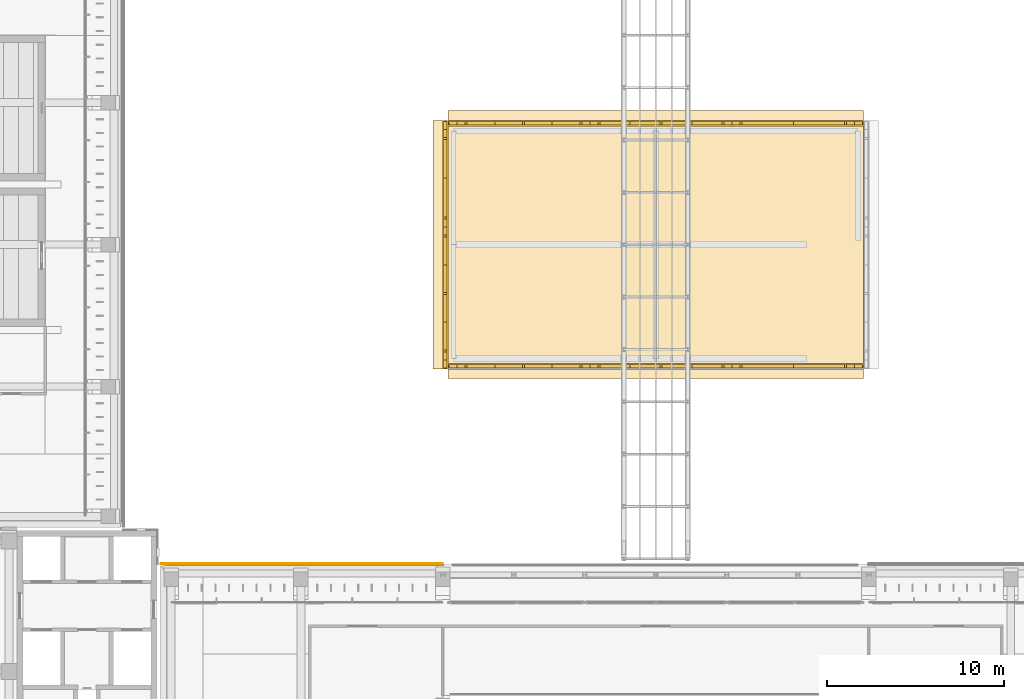
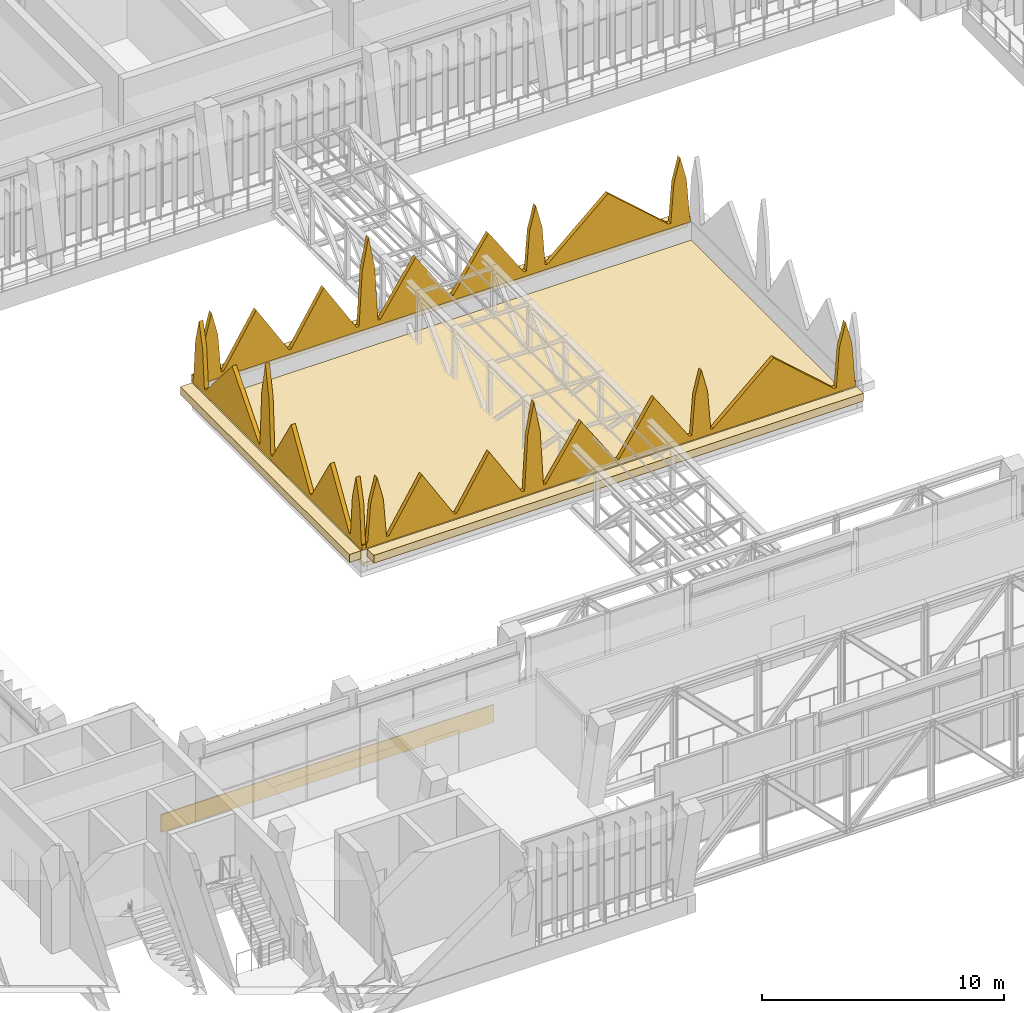
# One storey, part 128 of 141: 8 coverings.
"""IFC4 building model written with IfcOpenShell, lengths in metres."""

from ifc_helpers import new_model, si_unit, direction, frame, frame_2d, origin, place, context, subcontext, project, spatial, polyline, rectangle, outline, extrude, material, layer, layer_set, type_object, element, save


model = new_model("IFC4")

# Units and contexts
model_context = context("Model", 3, precision=1e-05, world=origin(), true_north=direction((0.0, 1.0)))
body_context = subcontext(model_context, "Body", "Model", "MODEL_VIEW")
ifc_project = project(units=[si_unit("LENGTHUNIT", "METRE"), si_unit("AREAUNIT", "SQUARE_METRE"), si_unit("VOLUMEUNIT", "CUBIC_METRE"), si_unit("PLANEANGLEUNIT", "RADIAN"), si_unit("MASSUNIT", "GRAM", prefix="KILO")], contexts=[model_context])

# Site, building, storey
site_placement = place(None, origin())
site = spatial("IfcSite", under=ifc_project, at=site_placement, CompositionType="ELEMENT")
building_placement = place(site_placement, origin())
building = spatial("IfcBuilding", under=site, at=building_placement, Name="Lantern Court Media Centre", CompositionType="ELEMENT")
storey_placement = place(building_placement, frame((0.0, 0.0, 9.60009765625)))
storey = spatial("IfcBuildingStorey", under=building, at=storey_placement, Name="L02", CompositionType="ELEMENT", Elevation=9.60009765625)

# Coverings
ifc_material_1 = material(Name="Sedum substrate, 200 mm")
ifc_layer_1 = layer(ifc_material_1, 0.199951171875)
ifc_layer_set_1 = layer_set([ifc_layer_1], Name="Sedum substrate, 200 mm")
covering_type_1 = type_object("IfcCoveringType", Name="Extensive green roof 200", PredefinedType="ROOFING", material=ifc_layer_set_1)
covering_1_placement = place(storey_placement, origin())
element("IfcCovering", 1, at=covering_1_placement, inside=storey, type_object=covering_type_1, Name="Press box green roof", PredefinedType="ROOFING", context=body_context, shape_type="SweptSolid", body=[
    extrude(outline(polyline([(40.300048828125, 73.300048828125), (63.699951171875, 73.300048828125), (63.699951171875, 86.699951171875), (40.300048828125, 86.699951171875), (40.300048828125, 73.300048828125)])), origin(), (0.0, 0.0, 1.0), 0.199951171875),
])
ifc_material_2 = material(Name="White glass-fibre reinforced cement cladding", Category="concrete")
ifc_layer_2 = layer(ifc_material_2, 0.050048828125)
ifc_layer_set_2 = layer_set([ifc_layer_2], Name="White glass-fibre reinforced cement cladding")
covering_type_2 = type_object("IfcCoveringType", Name="Floor-edge band 50", PredefinedType="CLADDING", material=ifc_layer_set_2)
covering_2_placement = place(storey_placement, frame((24.10009765625, 62.02490234375, -0.900146484375), z_axis=(0.0, 0.0, 1.0), x_axis=(1.0, 0.0, 0.0)))
element("IfcCovering", 2, at=covering_2_placement, inside=storey, type_object=covering_type_2, Name="Floor-edge band S inner L02", PredefinedType="CLADDING", context=body_context, shape_type="SweptSolid", body=[
    extrude(rectangle(XDim=15.89990234375, YDim=0.050048828125, at=frame_2d((7.949951171875, 0.0))), origin(), (0.0, 0.0, 1.0), 0.900146484375),
])
ifc_material_3 = material(Name="Honed limestone cladding on blockwork", Category="masonry")
ifc_layer_3 = layer(ifc_material_3, 0.550048828125)
ifc_layer_set_3 = layer_set([ifc_layer_3], Name="Honed limestone cladding on blockwork")
covering_type_3 = type_object("IfcCoveringType", Name="Limestone cornice 550", PredefinedType="CLADDING", material=ifc_layer_set_3)
for number, where, z_axis, x_axis, name in (
    (3, (40.300048828125, 72.72509765625, 0.699951171875), (0.0, 0.0, 1.0), (1.0, 0.0, 0.0), "Attic cornice"),
    (4, (40.300048828125, 87.27490234375, 0.699951171875), (0.0, 0.0, 1.0), (1.0, 0.0, 0.0), "Attic cornice"),
):
    element("IfcCovering", number, at=place(storey_placement, frame(where, z_axis=z_axis, x_axis=x_axis)), inside=storey, type_object=covering_type_3, Name=name, PredefinedType="CLADDING", context=body_context, shape_type="SweptSolid", body=[
        extrude(rectangle(XDim=23.39990234375, YDim=0.550048828125, at=frame_2d((11.699951171875, 0.0))), origin(), (0.0, 0.0, 1.0), 0.39990234375),
    ])
covering_3_placement = place(storey_placement, frame((39.72509765625, 73.0, 0.699951171875), z_axis=(0.0, 0.0, 1.0), x_axis=(0.0, 1.0, 0.0)))
element("IfcCovering", 5, at=covering_3_placement, inside=storey, type_object=covering_type_3, Name="Attic cornice", PredefinedType="CLADDING", context=body_context, shape_type="SweptSolid", body=[
    extrude(rectangle(XDim=14.0, YDim=0.550048828125, at=frame_2d((7.0, 0.0))), origin(), (0.0, 0.0, 1.0), 0.39990234375),
])
ifc_layer_4 = layer(ifc_material_3, 0.199951171875)
ifc_layer_set_4 = layer_set([ifc_layer_4], Name="Honed limestone cladding on blockwork")
covering_type_4 = type_object("IfcCoveringType", Name="Limestone cresting 200", PredefinedType="CLADDING", material=ifc_layer_set_4)
for number, where, z_axis, x_axis, name in (
    (6, (40.300048828125, 73.14990234375, 1.099853515625), (0.0, 0.0, 1.0), (1.0, 0.0, 0.0), "Parapet cresting"),
    (7, (40.300048828125, 86.85009765625, 1.099853515625), (0.0, 0.0, 1.0), (1.0, 0.0, 0.0), "Parapet cresting"),
):
    element("IfcCovering", number, at=place(storey_placement, frame(where, z_axis=z_axis, x_axis=x_axis)), inside=storey, type_object=covering_type_4, Name=name, PredefinedType="CLADDING", context=body_context, shape_type="SweptSolid", body=[
        extrude(outline(polyline([(0.0, 0.0), (23.39990234375, 0.0), (23.39990234375, 0.25), (23.35009765625, 0.25), (23.199951171875, 2.2099609375), (22.89990234375, 3.400146484375), (22.60009765625, 2.2099609375), (22.449951171875, 0.25), (22.330078125, 0.25), (19.449951171875, 2.800048828125), (16.570068359375, 0.25), (16.449951171875, 0.25), (16.300048828125, 2.2099609375), (16.0, 3.400146484375), (15.699951171875, 2.2099609375), (15.550048828125, 0.25), (15.429931640625, 0.25), (13.739990234375, 2.800048828125), (12.050048828125, 0.25), (11.949951171875, 0.25), (10.260009765625, 2.800048828125), (8.570068359375, 0.25), (8.449951171875, 0.25), (8.300048828125, 2.983642578125), (8.0, 4.590087890625), (7.699951171875, 2.983642578125), (7.550048828125, 0.25), (7.429931640625, 0.25), (5.864990234375, 2.800048828125), (4.300048828125, 0.25), (4.199951171875, 0.25), (2.635009765625, 2.800048828125), (1.070068359375, 0.25), (0.949951171875, 0.25), (0.800048828125, 2.2099609375), (0.5, 3.400146484375), (0.199951171875, 2.2099609375), (0.050048828125, 0.25), (0.0, 0.25), (0.0, 0.0)])), frame((0.0, 0.10009765625, 0.0), z_axis=(0.0, -1.0, 0.0), x_axis=(1.0, 0.0, 0.0)), (0.0, 0.0, 1.0), 0.199951171875),
    ])
covering_4_placement = place(storey_placement, frame((40.14990234375, 73.0, 1.099853515625), z_axis=(0.0, 0.0, 1.0), x_axis=(0.0, 1.0, 0.0)))
element("IfcCovering", 8, at=covering_4_placement, inside=storey, type_object=covering_type_4, Name="Parapet cresting", PredefinedType="CLADDING", context=body_context, shape_type="SweptSolid", body=[
    extrude(outline(polyline([(0.0, 0.0), (14.0, 0.0), (14.0, 0.25), (13.949951171875, 0.25), (13.800048828125, 2.2099609375), (13.5, 3.400146484375), (13.199951171875, 2.2099609375), (13.050048828125, 0.25), (12.929931640625, 0.25), (10.75, 2.800048828125), (8.570068359375, 0.25), (8.449951171875, 0.25), (8.300048828125, 2.983642578125), (8.0, 4.590087890625), (7.699951171875, 2.983642578125), (7.550048828125, 0.25), (7.429931640625, 0.25), (5.864990234375, 2.800048828125), (4.300048828125, 0.25), (4.199951171875, 0.25), (2.635009765625, 2.800048828125), (1.070068359375, 0.25), (0.949951171875, 0.25), (0.800048828125, 2.2099609375), (0.5, 3.400146484375), (0.199951171875, 2.2099609375), (0.050048828125, 0.25), (0.0, 0.25), (0.0, 0.0)])), frame((0.0, 0.10009765625, 0.0), z_axis=(0.0, -1.0, 0.0), x_axis=(1.0, 0.0, 0.0)), (0.0, 0.0, 1.0), 0.199951171875),
])

save(model, "model.ifc")
